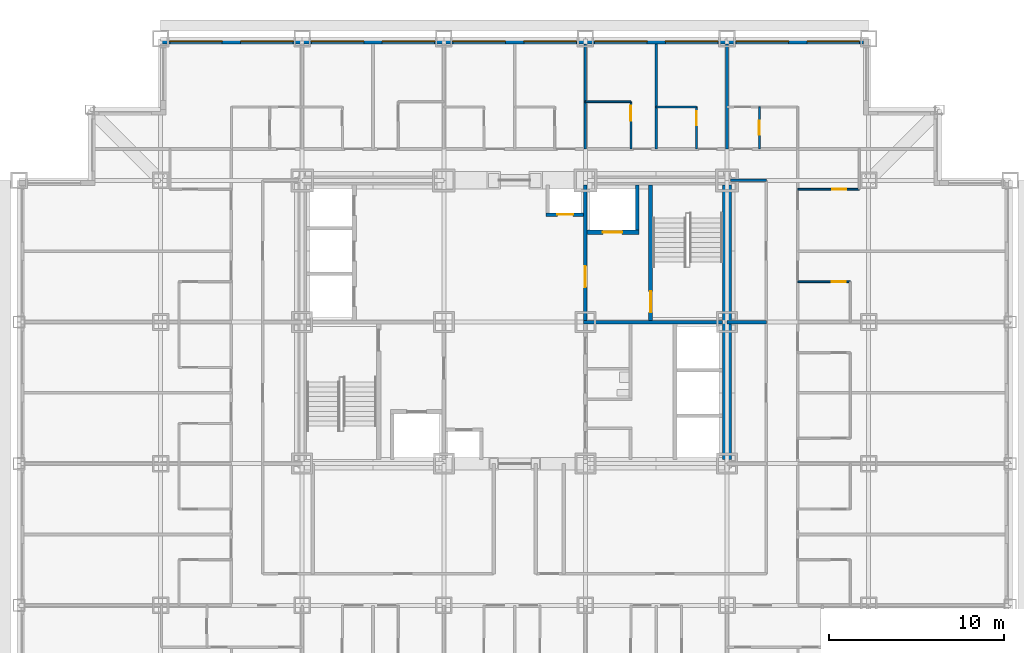
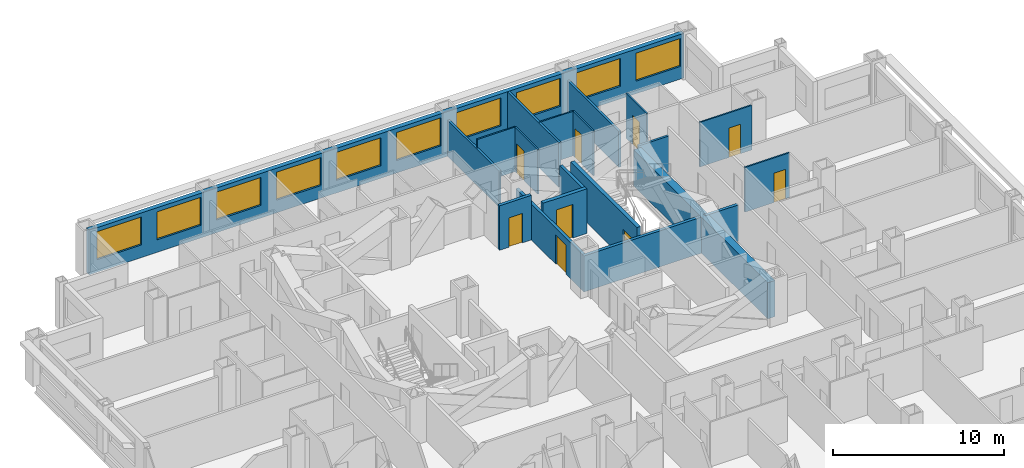
# One storey, part 9 of 12: 20 walls, 10 windows, 9 doors, 19 openings.
"""IFC4 building model written with IfcOpenShell, lengths in metres."""

from ifc_helpers import new_model, si_unit, direction, frame, frame_2d, origin, place, context, subcontext, project, spatial, rectangle, extrude, material, layer, layer_set, type_object, element, fill, save


model = new_model("IFC4")

# Units and contexts
model_context = context("Model", 3, precision=1e-05, world=origin(), true_north=direction((0.0, 1.0)))
body_context = subcontext(model_context, "Body", "Model", "MODEL_VIEW")
ifc_project = project(units=[si_unit("LENGTHUNIT", "METRE"), si_unit("AREAUNIT", "SQUARE_METRE"), si_unit("VOLUMEUNIT", "CUBIC_METRE"), si_unit("PLANEANGLEUNIT", "RADIAN"), si_unit("MASSUNIT", "GRAM", prefix="KILO")], contexts=[model_context])

# Site, building, storey
site_placement = place(None, origin())
site = spatial("IfcSite", under=ifc_project, at=site_placement, CompositionType="ELEMENT")
building_placement = place(site_placement, origin())
building = spatial("IfcBuilding", under=site, at=building_placement, Name="Kopane Lantern Tower", CompositionType="ELEMENT")
storey_placement = place(building_placement, frame((0.0, 0.0, 39.800048828125)))
storey = spatial("IfcBuildingStorey", under=building, at=storey_placement, Name="L08", CompositionType="ELEMENT", Elevation=39.800048828125)

# Wall
ifc_material_1 = material(Name="Moisture-resistant board on steel studs", Category="steel")
ifc_layer_1 = layer(ifc_material_1, 0.10009765625)
ifc_layer_set_1 = layer_set([ifc_layer_1], Name="BATHROOM WALL 100")
wall_type_1 = type_object("IfcWallType", Name="BATHROOM WALL 100", PredefinedType="PARTITIONING", material=ifc_layer_set_1)
wall_1_placement = place(storey_placement, frame((32.39990234375, 45.0, 0.0), z_axis=(0.0, 0.0, 1.0), x_axis=(1.0, 0.0, 0.0)))
element("IfcWall", 1, at=wall_1_placement, inside=storey, type_object=wall_type_1, Name="Bathroom Wall 100 L08", PredefinedType="PARTITIONING", context=body_context, shape_type="SweptSolid", body=[
    extrude(rectangle(XDim=2.60009765625, YDim=0.10009765625, at=frame_2d((1.300048828125, 0.0))), origin(), (0.0, 0.0, 1.0), 3.18994140625),
])

# Wall, opening, door
wall_2_placement = place(storey_placement, frame((35.0, 42.300048828125, 0.0), z_axis=(0.0, 0.0, 1.0), x_axis=(0.0, 1.0, 0.0)))
wall_2 = element("IfcWall", 2, at=wall_2_placement, inside=storey, type_object=wall_type_1, Name="Bathroom Wall 100 L08", PredefinedType="PARTITIONING", context=body_context, shape_type="SweptSolid", body=[
    extrude(rectangle(XDim=2.699951171875, YDim=0.10009765625, at=frame_2d((1.35009765625, 0.0))), origin(), (0.0, 0.0, 1.0), 3.18994140625),
])
opening_1_placement = place(wall_2_placement, frame((1.625, 0.0, 0.0)))
opening_1 = element("IfcOpeningElement", 3, at=opening_1_placement, cuts=wall_2, Name="Opening L08-031", PredefinedType="OPENING", context=body_context, shape_type="SweptSolid", body=[
    extrude(rectangle(XDim=0.85009765625, YDim=2.10009765625, at=frame_2d((0.425048828125, 1.050048828125))), frame((0.0, 0.06005859375, 0.0), z_axis=(0.0, -1.0, 0.0), x_axis=(1.0, 0.0, 0.0)), (0.0, 0.0, 1.0), 0.1201171875),
])
ifc_material_2 = material(Name="Timber door set", Category="wood")
door_type_1 = type_object("IfcDoorType", Name="DOOR D4 850x2100", OperationType="SINGLE_SWING_LEFT", PredefinedType="DOOR", material=ifc_material_2)
door_1_placement = place(opening_1_placement, origin())
door_1 = element("IfcDoor", 4, at=door_1_placement, inside=storey, type_object=door_type_1, Name="Door L08-031", OperationType="SINGLE_SWING_RIGHT", OverallHeight=2.10009765625, OverallWidth=0.85009765625, PredefinedType="DOOR", context=body_context, shape_type="SweptSolid", body=[
    extrude(rectangle(XDim=0.85009765625, YDim=2.10009765625, at=frame_2d((0.425048828125, 1.050048828125))), frame((0.0, 0.02490234375, 0.0), z_axis=(0.0, -1.0, 0.0), x_axis=(1.0, 0.0, 0.0)), (0.0, 0.0, 1.0), 0.050048828125),
])
fill(opening_1, door_1)

# Wall
wall_3_placement = place(storey_placement, frame((36.449951171875, 44.699951171875, 0.0), z_axis=(0.0, 0.0, 1.0), x_axis=(1.0, 0.0, 0.0)))
element("IfcWall", 5, at=wall_3_placement, inside=storey, type_object=wall_type_1, Name="Bathroom Wall 100 L08", PredefinedType="PARTITIONING", context=body_context, shape_type="SweptSolid", body=[
    extrude(rectangle(XDim=2.300048828125, YDim=0.10009765625, at=frame_2d((1.14990234375, 0.0))), origin(), (0.0, 0.0, 1.0), 3.18994140625),
])

# Wall, opening, door
wall_4_placement = place(storey_placement, frame((38.75, 42.300048828125, 0.0), z_axis=(0.0, 0.0, 1.0), x_axis=(0.0, 1.0, 0.0)))
wall_4 = element("IfcWall", 6, at=wall_4_placement, inside=storey, type_object=wall_type_1, Name="Bathroom Wall 100 L08", PredefinedType="PARTITIONING", context=body_context, shape_type="SweptSolid", body=[
    extrude(rectangle(XDim=2.39990234375, YDim=0.10009765625, at=frame_2d((1.199951171875, 0.0))), origin(), (0.0, 0.0, 1.0), 3.18994140625),
])
opening_2_placement = place(wall_4_placement, frame((1.35009765625, 0.0, 0.0)))
opening_2 = element("IfcOpeningElement", 7, at=opening_2_placement, cuts=wall_4, Name="Opening L08-033", PredefinedType="OPENING", context=body_context, shape_type="SweptSolid", body=[
    extrude(rectangle(XDim=0.800048828125, YDim=2.10009765625, at=frame_2d((0.39990234375, 1.050048828125))), frame((0.0, 0.06005859375, 0.0), z_axis=(0.0, -1.0, 0.0), x_axis=(1.0, 0.0, 0.0)), (0.0, 0.0, 1.0), 0.1201171875),
])
ifc_material_3 = material(Name="Timber door set", Category="wood")
door_type_2 = type_object("IfcDoorType", Name="DOOR D2 800x2100", OperationType="SINGLE_SWING_LEFT", PredefinedType="DOOR", material=ifc_material_3)
door_2_placement = place(opening_2_placement, origin())
door_2 = element("IfcDoor", 8, at=door_2_placement, inside=storey, type_object=door_type_2, Name="Door L08-033", OperationType="SINGLE_SWING_RIGHT", OverallHeight=2.10009765625, OverallWidth=0.800048828125, PredefinedType="DOOR", context=body_context, shape_type="SweptSolid", body=[
    extrude(rectangle(XDim=0.800048828125, YDim=2.10009765625, at=frame_2d((0.39990234375, 1.050048828125))), frame((0.0, 0.02490234375, 0.0), z_axis=(0.0, -1.0, 0.0), x_axis=(1.0, 0.0, 0.0)), (0.0, 0.0, 1.0), 0.050048828125),
])
fill(opening_2, door_2)

wall_5_placement = place(storey_placement, frame((44.550048828125, 34.699951171875, 0.0), z_axis=(0.0, 0.0, 1.0), x_axis=(1.0, 0.0, 0.0)))
wall_5 = element("IfcWall", 9, at=wall_5_placement, inside=storey, type_object=wall_type_1, Name="Bathroom Wall 100 L08", PredefinedType="PARTITIONING", context=body_context, shape_type="SweptSolid", body=[
    extrude(rectangle(XDim=3.0, YDim=0.10009765625, at=frame_2d((1.5, 0.0))), origin(), (0.0, 0.0, 1.0), 3.18994140625),
])
opening_3_placement = place(wall_5_placement, frame((1.949951171875, 0.0, 0.0)))
opening_3 = element("IfcOpeningElement", 10, at=opening_3_placement, cuts=wall_5, Name="Opening L08-055", PredefinedType="OPENING", context=body_context, shape_type="SweptSolid", body=[
    extrude(rectangle(XDim=0.800048828125, YDim=2.10009765625, at=frame_2d((0.39990234375, 1.050048828125))), frame((0.0, 0.06005859375, 0.0), z_axis=(0.0, -1.0, 0.0), x_axis=(1.0, 0.0, 0.0)), (0.0, 0.0, 1.0), 0.1201171875),
])
door_3_placement = place(opening_3_placement, origin())
door_3 = element("IfcDoor", 11, at=door_3_placement, inside=storey, type_object=door_type_2, Name="Door L08-055", OperationType="SINGLE_SWING_LEFT", OverallHeight=2.10009765625, OverallWidth=0.800048828125, PredefinedType="DOOR", context=body_context, shape_type="SweptSolid", body=[
    extrude(rectangle(XDim=0.800048828125, YDim=2.10009765625, at=frame_2d((0.39990234375, 1.050048828125))), frame((0.0, 0.02490234375, 0.0), z_axis=(0.0, -1.0, 0.0), x_axis=(1.0, 0.0, 0.0)), (0.0, 0.0, 1.0), 0.050048828125),
])
fill(opening_3, door_3)

wall_6_placement = place(storey_placement, frame((44.550048828125, 40.0, 0.0), z_axis=(0.0, 0.0, 1.0), x_axis=(1.0, 0.0, 0.0)))
wall_6 = element("IfcWall", 12, at=wall_6_placement, inside=storey, type_object=wall_type_1, Name="Bathroom Wall 100 L08", PredefinedType="PARTITIONING", context=body_context, shape_type="SweptSolid", body=[
    extrude(rectangle(XDim=3.514892578125, YDim=0.10009765625, at=frame_2d((1.75732421875, 0.0))), origin(), (0.0, 0.0, 1.0), 3.18994140625),
])
opening_4_placement = place(wall_6_placement, frame((1.965087890625, 0.0, 0.0)))
opening_4 = element("IfcOpeningElement", 13, at=opening_4_placement, cuts=wall_6, Name="Opening L08-057", PredefinedType="OPENING", context=body_context, shape_type="SweptSolid", body=[
    extrude(rectangle(XDim=0.800048828125, YDim=2.10009765625, at=frame_2d((0.39990234375, 1.050048828125))), frame((0.0, 0.06005859375, 0.0), z_axis=(0.0, -1.0, 0.0), x_axis=(1.0, 0.0, 0.0)), (0.0, 0.0, 1.0), 0.1201171875),
])
door_4_placement = place(opening_4_placement, origin())
door_4 = element("IfcDoor", 14, at=door_4_placement, inside=storey, type_object=door_type_2, Name="Door L08-057", OperationType="SINGLE_SWING_RIGHT", OverallHeight=2.10009765625, OverallWidth=0.800048828125, PredefinedType="DOOR", context=body_context, shape_type="SweptSolid", body=[
    extrude(rectangle(XDim=0.800048828125, YDim=2.10009765625, at=frame_2d((0.39990234375, 1.050048828125))), frame((0.0, 0.02490234375, 0.0), z_axis=(0.0, -1.0, 0.0), x_axis=(1.0, 0.0, 0.0)), (0.0, 0.0, 1.0), 0.050048828125),
])
fill(opening_4, door_4)

wall_7_placement = place(storey_placement, frame((42.35009765625, 42.300048828125, 0.0), z_axis=(0.0, 0.0, 1.0), x_axis=(0.0, 1.0, 0.0)))
wall_7 = element("IfcWall", 15, at=wall_7_placement, inside=storey, type_object=wall_type_1, Name="Bathroom Wall 100 L08", PredefinedType="PARTITIONING", context=body_context, shape_type="SweptSolid", body=[
    extrude(rectangle(XDim=2.39990234375, YDim=0.10009765625, at=frame_2d((1.199951171875, 0.0))), origin(), (0.0, 0.0, 1.0), 3.18994140625),
])
opening_5_placement = place(wall_7_placement, frame((0.800048828125, 0.0, 0.0)))
opening_5 = element("IfcOpeningElement", 16, at=opening_5_placement, cuts=wall_7, Name="Opening L08-069", PredefinedType="OPENING", context=body_context, shape_type="SweptSolid", body=[
    extrude(rectangle(XDim=0.800048828125, YDim=2.10009765625, at=frame_2d((0.39990234375, 1.050048828125))), frame((0.0, 0.06005859375, 0.0), z_axis=(0.0, -1.0, 0.0), x_axis=(1.0, 0.0, 0.0)), (0.0, 0.0, 1.0), 0.1201171875),
])
door_5_placement = place(opening_5_placement, origin())
door_5 = element("IfcDoor", 17, at=door_5_placement, inside=storey, type_object=door_type_2, Name="Door L08-069", OperationType="SINGLE_SWING_RIGHT", OverallHeight=2.10009765625, OverallWidth=0.800048828125, PredefinedType="DOOR", context=body_context, shape_type="SweptSolid", body=[
    extrude(rectangle(XDim=0.800048828125, YDim=2.10009765625, at=frame_2d((0.39990234375, 1.050048828125))), frame((0.0, 0.02490234375, 0.0), z_axis=(0.0, -1.0, 0.0), x_axis=(1.0, 0.0, 0.0)), (0.0, 0.0, 1.0), 0.050048828125),
])
fill(opening_5, door_5)

# Wall
ifc_material_4 = material(Name="Gypsum shaft wall EI 120", Category="gypsum")
ifc_layer_2 = layer(ifc_material_4, 0.5)
ifc_layer_set_2 = layer_set([ifc_layer_2], Name="CORE PERIMETER WALL 500 EI 120")
wall_type_2 = type_object("IfcWallType", Name="CORE PERIMETER WALL 500 EI 120", PredefinedType="SOLIDWALL", material=ifc_layer_set_2)
wall_8_placement = place(storey_placement, frame((40.5, 24.550048828125, 0.0), z_axis=(0.0, 0.0, 1.0), x_axis=(0.0, 1.0, 0.0)))
element("IfcWall", 18, at=wall_8_placement, inside=storey, type_object=wall_type_2, Name="Core shaft wall L08 PE", PredefinedType="SOLIDWALL", context=body_context, shape_type="SweptSolid", body=[
    extrude(rectangle(XDim=15.699951171875, YDim=0.5, at=frame_2d((7.85009765625, 0.0))), origin(), (0.0, 0.0, 1.0), 2.57763671875),
])

# Wall, opening, door
ifc_material_5 = material(Name="Gypsum shaft wall EI 120", Category="gypsum")
ifc_layer_3 = layer(ifc_material_5, 0.25)
ifc_layer_set_3 = layer_set([ifc_layer_3], Name="CORE SHAFT WALL 250 EI 120")
wall_type_3 = type_object("IfcWallType", Name="CORE SHAFT WALL 250 EI 120", PredefinedType="SOLIDWALL", material=ifc_layer_set_3)
wall_9_placement = place(storey_placement, frame((36.125, 32.5, 0.0), z_axis=(0.0, 0.0, 1.0), x_axis=(0.0, 1.0, 0.0)))
wall_9 = element("IfcWall", 19, at=wall_9_placement, inside=storey, type_object=wall_type_3, Name="Core shaft wall L08 XST2", PredefinedType="SOLIDWALL", context=body_context, shape_type="SweptSolid", body=[
    extrude(rectangle(XDim=7.75, YDim=0.25, at=frame_2d((3.875, 0.0))), origin(), (0.0, 0.0, 1.0), 3.18994140625),
])
opening_6_placement = place(wall_9_placement, frame((0.449951171875, 0.0, 0.0)))
opening_6 = element("IfcOpeningElement", 20, at=opening_6_placement, cuts=wall_9, Name="Opening 08.SD2", PredefinedType="OPENING", context=body_context, shape_type="SweptSolid", body=[
    extrude(rectangle(XDim=1.199951171875, YDim=2.10009765625, at=frame_2d((0.60009765625, 1.050048828125))), frame((0.0, 0.135009765625, 0.0), z_axis=(0.0, -1.0, 0.0), x_axis=(1.0, 0.0, 0.0)), (0.0, 0.0, 1.0), 0.27001953125),
])
ifc_material_6 = material(Name="Steel door set", Category="steel")
door_type_3 = type_object("IfcDoorType", Name="STAIR DOOR 1200x2100 FD60S", OperationType="SINGLE_SWING_LEFT", PredefinedType="DOOR", material=ifc_material_6)
door_6_placement = place(opening_6_placement, origin())
door_6 = element("IfcDoor", 21, at=door_6_placement, inside=storey, type_object=door_type_3, Name="Stair door ST2 L08", OperationType="SINGLE_SWING_RIGHT", OverallHeight=2.10009765625, OverallWidth=1.199951171875, PredefinedType="DOOR", context=body_context, shape_type="SweptSolid", body=[
    extrude(rectangle(XDim=1.199951171875, YDim=2.10009765625, at=frame_2d((0.60009765625, 1.050048828125))), frame((0.0, 0.02490234375, 0.0), z_axis=(0.0, -1.0, 0.0), x_axis=(1.0, 0.0, 0.0)), (0.0, 0.0, 1.0), 0.050048828125),
])
fill(opening_6, door_6)

wall_10_placement = place(storey_placement, frame((32.5, 37.52490234375, 0.0), z_axis=(0.0, 0.0, 1.0), x_axis=(1.0, 0.0, 0.0)))
wall_10 = element("IfcWall", 22, at=wall_10_placement, inside=storey, type_object=wall_type_3, Name="Core shaft wall L08 YLF2", PredefinedType="SOLIDWALL", context=body_context, shape_type="SweptSolid", body=[
    extrude(rectangle(XDim=2.949951171875, YDim=0.25, at=frame_2d((1.47509765625, 0.0))), origin(), (0.0, 0.0, 1.0), 3.18994140625),
])
opening_7_placement = place(wall_10_placement, frame((0.89990234375, 0.0, 0.0)))
opening_7 = element("IfcOpeningElement", 23, at=opening_7_placement, cuts=wall_10, Name="Opening 08.LD-LF2", PredefinedType="OPENING", context=body_context, shape_type="SweptSolid", body=[
    extrude(rectangle(XDim=1.10009765625, YDim=2.39990234375, at=frame_2d((0.550048828125, 1.199951171875))), frame((0.0, 0.135009765625, 0.0), z_axis=(0.0, -1.0, 0.0), x_axis=(1.0, 0.0, 0.0)), (0.0, 0.0, 1.0), 0.27001953125),
])
ifc_material_7 = material(Name="Steel door set", Category="steel")
door_type_4 = type_object("IfcDoorType", Name="LIFT LANDING DOOR 1100x2400 FD60", OperationType="DOUBLE_DOOR_SLIDING", PredefinedType="DOOR", material=ifc_material_7)
door_7_placement = place(opening_7_placement, origin())
door_7 = element("IfcDoor", 24, at=door_7_placement, inside=storey, type_object=door_type_4, Name="Landing door LF2 L08", OperationType="DOUBLE_DOOR_SLIDING", OverallHeight=2.39990234375, OverallWidth=1.10009765625, PredefinedType="DOOR", context=body_context, shape_type="SweptSolid", body=[
    extrude(rectangle(XDim=1.10009765625, YDim=2.39990234375, at=frame_2d((0.550048828125, 1.199951171875))), frame((0.0, 0.02490234375, 0.0), z_axis=(0.0, -1.0, 0.0), x_axis=(1.0, 0.0, 0.0)), (0.0, 0.0, 1.0), 0.050048828125),
])
fill(opening_7, door_7)

# Walls
ifc_material_8 = material(Name="Gypsum board on steel studs", Category="steel")
ifc_layer_4 = layer(ifc_material_8, 0.14990234375)
ifc_layer_set_4 = layer_set([ifc_layer_4], Name="CORRIDOR WALL 150 EI 60")
wall_type_4 = type_object("IfcWallType", Name="CORRIDOR WALL 150 EI 60", PredefinedType="PARTITIONING", material=ifc_layer_set_4)
wall_11_placement = place(storey_placement, frame((42.75, 40.5, 0.0), z_axis=(0.0, 0.0, 1.0), x_axis=(-1.0, 0.0, 0.0)))
element("IfcWall", 25, at=wall_11_placement, inside=storey, type_object=wall_type_4, Name="Corridor Wall 150 Ei 60 L08", PredefinedType="PARTITIONING", context=body_context, shape_type="SweptSolid", body=[
    extrude(rectangle(XDim=2.050048828125, YDim=0.14990234375, at=frame_2d((1.02490234375, 0.0))), origin(), (0.0, 0.0, 1.0), 2.57763671875),
])
ifc_material_9 = material(Name="Gypsum board on steel studs", Category="steel")
ifc_layer_5 = layer(ifc_material_9, 0.14990234375)
ifc_layer_set_5 = layer_set([ifc_layer_5], Name="DEMISING WALL 150 EI 60")
wall_type_5 = type_object("IfcWallType", Name="DEMISING WALL 150 EI 60", PredefinedType="PARTITIONING", material=ifc_layer_set_5)
wall_12_placement = place(storey_placement, frame((32.39990234375, 42.300048828125, 0.0), z_axis=(0.0, 0.0, 1.0), x_axis=(0.0, 1.0, 0.0)))
element("IfcWall", 26, at=wall_12_placement, inside=storey, type_object=wall_type_5, Name="Demising Wall 150 Ei 60 L08", PredefinedType="PARTITIONING", context=body_context, shape_type="SweptSolid", body=[
    extrude(rectangle(XDim=6.0, YDim=0.14990234375, at=frame_2d((3.0, 0.0))), origin(), (0.0, 0.0, 1.0), 2.57763671875),
])
wall_13_placement = place(storey_placement, frame((36.449951171875, 42.300048828125, 0.0), z_axis=(0.0, 0.0, 1.0), x_axis=(0.0, 1.0, 0.0)))
element("IfcWall", 27, at=wall_13_placement, inside=storey, type_object=wall_type_5, Name="Demising Wall 150 Ei 60 L08", PredefinedType="PARTITIONING", context=body_context, shape_type="SweptSolid", body=[
    extrude(rectangle(XDim=6.0, YDim=0.14990234375, at=frame_2d((3.0, 0.0))), origin(), (0.0, 0.0, 1.0), 3.18994140625),
])
wall_14_placement = place(storey_placement, frame((40.5, 42.300048828125, 0.0), z_axis=(0.0, 0.0, 1.0), x_axis=(0.0, 1.0, 0.0)))
element("IfcWall", 28, at=wall_14_placement, inside=storey, type_object=wall_type_5, Name="Demising Wall 150 Ei 60 L08", PredefinedType="PARTITIONING", context=body_context, shape_type="SweptSolid", body=[
    extrude(rectangle(XDim=6.0, YDim=0.14990234375, at=frame_2d((3.0, 0.0))), origin(), (0.0, 0.0, 1.0), 2.57763671875),
])

# Wall, openings, windows
ifc_material_10 = material(Name="Terracotta rainscreen on light steel framing", Category="masonry")
ifc_layer_6 = layer(ifc_material_10, 0.300048828125)
ifc_layer_set_6 = layer_set([ifc_layer_6], Name="EXTERNAL WALL EW1 300 TERRACOTTA")
wall_type_6 = type_object("IfcWallType", Name="EXTERNAL WALL EW1 300 TERRACOTTA", PredefinedType="SOLIDWALL", material=ifc_layer_set_6)
wall_15_placement = place(storey_placement, frame((48.300048828125, 48.449951171875, 0.0), z_axis=(0.0, 0.0, 1.0), x_axis=(-1.0, 0.0, 0.0)))
wall_15 = element("IfcWall", 29, at=wall_15_placement, inside=storey, type_object=wall_type_6, Name="External wall N L08", PredefinedType="SOLIDWALL", context=body_context, shape_type="SweptSolid", body=[
    extrude(rectangle(XDim=40.199951171875, YDim=0.300048828125, at=frame_2d((20.10009765625, 0.0))), origin(), (0.0, 0.0, 1.0), 3.18994140625),
])
opening_8_placement = place(wall_15_placement, frame((0.22509765625, 0.0, 0.89990234375)))
opening_8 = element("IfcOpeningElement", 30, at=opening_8_placement, cuts=wall_15, Name="Opening WR300200", PredefinedType="OPENING", context=body_context, shape_type="SweptSolid", body=[
    extrude(rectangle(XDim=3.0, YDim=2.0, at=frame_2d((1.5, 1.0))), frame((0.0, 0.159912109375, 0.0), z_axis=(0.0, -1.0, 0.0), x_axis=(1.0, 0.0, 0.0)), (0.0, 0.0, 1.0), 0.320068359375),
])
opening_9_placement = place(wall_15_placement, frame((4.27490234375, 0.0, 0.89990234375)))
opening_9 = element("IfcOpeningElement", 31, at=opening_9_placement, cuts=wall_15, Name="Opening WR300200", PredefinedType="OPENING", context=body_context, shape_type="SweptSolid", body=[
    extrude(rectangle(XDim=3.0, YDim=2.0, at=frame_2d((1.5, 1.0))), frame((0.0, 0.159912109375, 0.0), z_axis=(0.0, -1.0, 0.0), x_axis=(1.0, 0.0, 0.0)), (0.0, 0.0, 1.0), 0.320068359375),
])
opening_10_placement = place(wall_15_placement, frame((8.324951171875, 0.0, 0.89990234375)))
opening_10 = element("IfcOpeningElement", 32, at=opening_10_placement, cuts=wall_15, Name="Opening WR300200", PredefinedType="OPENING", context=body_context, shape_type="SweptSolid", body=[
    extrude(rectangle(XDim=3.0, YDim=2.0, at=frame_2d((1.5, 1.0))), frame((0.0, 0.159912109375, 0.0), z_axis=(0.0, -1.0, 0.0), x_axis=(1.0, 0.0, 0.0)), (0.0, 0.0, 1.0), 0.320068359375),
])
opening_11_placement = place(wall_15_placement, frame((12.375, 0.0, 0.89990234375)))
opening_11 = element("IfcOpeningElement", 33, at=opening_11_placement, cuts=wall_15, Name="Opening WR300200", PredefinedType="OPENING", context=body_context, shape_type="SweptSolid", body=[
    extrude(rectangle(XDim=3.0, YDim=2.0, at=frame_2d((1.5, 1.0))), frame((0.0, 0.159912109375, 0.0), z_axis=(0.0, -1.0, 0.0), x_axis=(1.0, 0.0, 0.0)), (0.0, 0.0, 1.0), 0.320068359375),
])
opening_12_placement = place(wall_15_placement, frame((16.425048828125, 0.0, 0.89990234375)))
opening_12 = element("IfcOpeningElement", 34, at=opening_12_placement, cuts=wall_15, Name="Opening WR300200", PredefinedType="OPENING", context=body_context, shape_type="SweptSolid", body=[
    extrude(rectangle(XDim=3.0, YDim=2.0, at=frame_2d((1.5, 1.0))), frame((0.0, 0.159912109375, 0.0), z_axis=(0.0, -1.0, 0.0), x_axis=(1.0, 0.0, 0.0)), (0.0, 0.0, 1.0), 0.320068359375),
])
opening_13_placement = place(wall_15_placement, frame((20.47509765625, 0.0, 0.89990234375)))
opening_13 = element("IfcOpeningElement", 35, at=opening_13_placement, cuts=wall_15, Name="Opening WR300200", PredefinedType="OPENING", context=body_context, shape_type="SweptSolid", body=[
    extrude(rectangle(XDim=3.0, YDim=2.0, at=frame_2d((1.5, 1.0))), frame((0.0, 0.159912109375, 0.0), z_axis=(0.0, -1.0, 0.0), x_axis=(1.0, 0.0, 0.0)), (0.0, 0.0, 1.0), 0.320068359375),
])
opening_14_placement = place(wall_15_placement, frame((24.52490234375, 0.0, 0.89990234375)))
opening_14 = element("IfcOpeningElement", 36, at=opening_14_placement, cuts=wall_15, Name="Opening WR300200", PredefinedType="OPENING", context=body_context, shape_type="SweptSolid", body=[
    extrude(rectangle(XDim=3.0, YDim=2.0, at=frame_2d((1.5, 1.0))), frame((0.0, 0.159912109375, 0.0), z_axis=(0.0, -1.0, 0.0), x_axis=(1.0, 0.0, 0.0)), (0.0, 0.0, 1.0), 0.320068359375),
])
opening_15_placement = place(wall_15_placement, frame((28.574951171875, 0.0, 0.89990234375)))
opening_15 = element("IfcOpeningElement", 37, at=opening_15_placement, cuts=wall_15, Name="Opening WR300200", PredefinedType="OPENING", context=body_context, shape_type="SweptSolid", body=[
    extrude(rectangle(XDim=3.0, YDim=2.0, at=frame_2d((1.5, 1.0))), frame((0.0, 0.159912109375, 0.0), z_axis=(0.0, -1.0, 0.0), x_axis=(1.0, 0.0, 0.0)), (0.0, 0.0, 1.0), 0.320068359375),
])
opening_16_placement = place(wall_15_placement, frame((32.625, 0.0, 0.89990234375)))
opening_16 = element("IfcOpeningElement", 38, at=opening_16_placement, cuts=wall_15, Name="Opening WR300200", PredefinedType="OPENING", context=body_context, shape_type="SweptSolid", body=[
    extrude(rectangle(XDim=3.0, YDim=2.0, at=frame_2d((1.5, 1.0))), frame((0.0, 0.159912109375, 0.0), z_axis=(0.0, -1.0, 0.0), x_axis=(1.0, 0.0, 0.0)), (0.0, 0.0, 1.0), 0.320068359375),
])
opening_17_placement = place(wall_15_placement, frame((36.675048828125, 0.0, 0.89990234375)))
opening_17 = element("IfcOpeningElement", 39, at=opening_17_placement, cuts=wall_15, Name="Opening WR300200", PredefinedType="OPENING", context=body_context, shape_type="SweptSolid", body=[
    extrude(rectangle(XDim=3.0, YDim=2.0, at=frame_2d((1.5, 1.0))), frame((0.0, 0.159912109375, 0.0), z_axis=(0.0, -1.0, 0.0), x_axis=(1.0, 0.0, 0.0)), (0.0, 0.0, 1.0), 0.320068359375),
])
ifc_material_11 = material(Name="Aluminium and clear glass", Category="aluminium")
window_type = type_object("IfcWindowType", Name="RIBBON WINDOW WR300200 3000x2000", PartitioningType="SINGLE_PANEL", PredefinedType="WINDOW", material=ifc_material_11)
window_1_placement = place(opening_8_placement, origin())
window_1 = element("IfcWindow", 40, at=window_1_placement, inside=storey, type_object=window_type, Name="Window N L08", OverallHeight=2.0, OverallWidth=3.0, PartitioningType="SINGLE_PANEL", PredefinedType="WINDOW", context=body_context, shape_type="SweptSolid", body=[
    extrude(rectangle(XDim=3.0, YDim=2.0, at=frame_2d((1.5, 1.0))), frame((0.0, 0.030029296875, 0.0), z_axis=(0.0, -1.0, 0.0), x_axis=(1.0, 0.0, 0.0)), (0.0, 0.0, 1.0), 0.06005859375),
])
fill(opening_8, window_1)
window_2_placement = place(opening_9_placement, origin())
window_2 = element("IfcWindow", 41, at=window_2_placement, inside=storey, type_object=window_type, Name="Window N L08", OverallHeight=2.0, OverallWidth=3.0, PartitioningType="SINGLE_PANEL", PredefinedType="WINDOW", context=body_context, shape_type="SweptSolid", body=[
    extrude(rectangle(XDim=3.0, YDim=2.0, at=frame_2d((1.5, 1.0))), frame((0.0, 0.030029296875, 0.0), z_axis=(0.0, -1.0, 0.0), x_axis=(1.0, 0.0, 0.0)), (0.0, 0.0, 1.0), 0.06005859375),
])
fill(opening_9, window_2)
window_3_placement = place(opening_10_placement, origin())
window_3 = element("IfcWindow", 42, at=window_3_placement, inside=storey, type_object=window_type, Name="Window N L08", OverallHeight=2.0, OverallWidth=3.0, PartitioningType="SINGLE_PANEL", PredefinedType="WINDOW", context=body_context, shape_type="SweptSolid", body=[
    extrude(rectangle(XDim=3.0, YDim=2.0, at=frame_2d((1.5, 1.0))), frame((0.0, 0.030029296875, 0.0), z_axis=(0.0, -1.0, 0.0), x_axis=(1.0, 0.0, 0.0)), (0.0, 0.0, 1.0), 0.06005859375),
])
fill(opening_10, window_3)
window_4_placement = place(opening_11_placement, origin())
window_4 = element("IfcWindow", 43, at=window_4_placement, inside=storey, type_object=window_type, Name="Window N L08", OverallHeight=2.0, OverallWidth=3.0, PartitioningType="SINGLE_PANEL", PredefinedType="WINDOW", context=body_context, shape_type="SweptSolid", body=[
    extrude(rectangle(XDim=3.0, YDim=2.0, at=frame_2d((1.5, 1.0))), frame((0.0, 0.030029296875, 0.0), z_axis=(0.0, -1.0, 0.0), x_axis=(1.0, 0.0, 0.0)), (0.0, 0.0, 1.0), 0.06005859375),
])
fill(opening_11, window_4)
window_5_placement = place(opening_12_placement, origin())
window_5 = element("IfcWindow", 44, at=window_5_placement, inside=storey, type_object=window_type, Name="Window N L08", OverallHeight=2.0, OverallWidth=3.0, PartitioningType="SINGLE_PANEL", PredefinedType="WINDOW", context=body_context, shape_type="SweptSolid", body=[
    extrude(rectangle(XDim=3.0, YDim=2.0, at=frame_2d((1.5, 1.0))), frame((0.0, 0.030029296875, 0.0), z_axis=(0.0, -1.0, 0.0), x_axis=(1.0, 0.0, 0.0)), (0.0, 0.0, 1.0), 0.06005859375),
])
fill(opening_12, window_5)
window_6_placement = place(opening_13_placement, origin())
window_6 = element("IfcWindow", 45, at=window_6_placement, inside=storey, type_object=window_type, Name="Window N L08", OverallHeight=2.0, OverallWidth=3.0, PartitioningType="SINGLE_PANEL", PredefinedType="WINDOW", context=body_context, shape_type="SweptSolid", body=[
    extrude(rectangle(XDim=3.0, YDim=2.0, at=frame_2d((1.5, 1.0))), frame((0.0, 0.030029296875, 0.0), z_axis=(0.0, -1.0, 0.0), x_axis=(1.0, 0.0, 0.0)), (0.0, 0.0, 1.0), 0.06005859375),
])
fill(opening_13, window_6)
window_7_placement = place(opening_14_placement, origin())
window_7 = element("IfcWindow", 46, at=window_7_placement, inside=storey, type_object=window_type, Name="Window N L08", OverallHeight=2.0, OverallWidth=3.0, PartitioningType="SINGLE_PANEL", PredefinedType="WINDOW", context=body_context, shape_type="SweptSolid", body=[
    extrude(rectangle(XDim=3.0, YDim=2.0, at=frame_2d((1.5, 1.0))), frame((0.0, 0.030029296875, 0.0), z_axis=(0.0, -1.0, 0.0), x_axis=(1.0, 0.0, 0.0)), (0.0, 0.0, 1.0), 0.06005859375),
])
fill(opening_14, window_7)
window_8_placement = place(opening_15_placement, origin())
window_8 = element("IfcWindow", 47, at=window_8_placement, inside=storey, type_object=window_type, Name="Window N L08", OverallHeight=2.0, OverallWidth=3.0, PartitioningType="SINGLE_PANEL", PredefinedType="WINDOW", context=body_context, shape_type="SweptSolid", body=[
    extrude(rectangle(XDim=3.0, YDim=2.0, at=frame_2d((1.5, 1.0))), frame((0.0, 0.030029296875, 0.0), z_axis=(0.0, -1.0, 0.0), x_axis=(1.0, 0.0, 0.0)), (0.0, 0.0, 1.0), 0.06005859375),
])
fill(opening_15, window_8)
window_9_placement = place(opening_16_placement, origin())
window_9 = element("IfcWindow", 48, at=window_9_placement, inside=storey, type_object=window_type, Name="Window N L08", OverallHeight=2.0, OverallWidth=3.0, PartitioningType="SINGLE_PANEL", PredefinedType="WINDOW", context=body_context, shape_type="SweptSolid", body=[
    extrude(rectangle(XDim=3.0, YDim=2.0, at=frame_2d((1.5, 1.0))), frame((0.0, 0.030029296875, 0.0), z_axis=(0.0, -1.0, 0.0), x_axis=(1.0, 0.0, 0.0)), (0.0, 0.0, 1.0), 0.06005859375),
])
fill(opening_16, window_9)
window_10_placement = place(opening_17_placement, origin())
window_10 = element("IfcWindow", 49, at=window_10_placement, inside=storey, type_object=window_type, Name="Window N L08", OverallHeight=2.0, OverallWidth=3.0, PartitioningType="SINGLE_PANEL", PredefinedType="WINDOW", context=body_context, shape_type="SweptSolid", body=[
    extrude(rectangle(XDim=3.0, YDim=2.0, at=frame_2d((1.5, 1.0))), frame((0.0, 0.030029296875, 0.0), z_axis=(0.0, -1.0, 0.0), x_axis=(1.0, 0.0, 0.0)), (0.0, 0.0, 1.0), 0.06005859375),
])
fill(opening_17, window_10)

# Walls
ifc_material_12 = material(Name="Concrete masonry", Category="masonry")
ifc_layer_7 = layer(ifc_material_12, 0.199951171875)
ifc_layer_set_7 = layer_set([ifc_layer_7], Name="PLANT ROOM WALL 200 EI 120")
wall_type_7 = type_object("IfcWallType", Name="PLANT ROOM WALL 200 EI 120", PredefinedType="SOLIDWALL", material=ifc_layer_set_7)
wall_16_placement = place(storey_placement, frame((40.5, 32.39990234375, 0.0), z_axis=(0.0, 0.0, 1.0), x_axis=(1.0, 0.0, 0.0)))
element("IfcWall", 50, at=wall_16_placement, inside=storey, type_object=wall_type_7, Name="Plant Room Wall 200 Ei 120 L08", PredefinedType="SOLIDWALL", context=body_context, shape_type="SweptSolid", body=[
    extrude(rectangle(XDim=2.25, YDim=0.199951171875, at=frame_2d((1.125, 0.0))), origin(), (0.0, 0.0, 1.0), 2.57763671875),
])
ifc_material_13 = material(Name="Gypsum shaft wall EI 120", Category="gypsum")
ifc_layer_8 = layer(ifc_material_13, 0.199951171875)
ifc_layer_set_8 = layer_set([ifc_layer_8], Name="SHAFT WALL 200 EI 120")
wall_type_8 = type_object("IfcWallType", Name="SHAFT WALL 200 EI 120", PredefinedType="SOLIDWALL", material=ifc_layer_set_8)
wall_17_placement = place(storey_placement, frame((32.300048828125, 32.39990234375, 0.0), z_axis=(0.0, 0.0, 1.0), x_axis=(1.0, 0.0, 0.0)))
element("IfcWall", 51, at=wall_17_placement, inside=storey, type_object=wall_type_8, Name="Core shaft wall L08 Y324E", PredefinedType="SOLIDWALL", context=body_context, shape_type="SweptSolid", body=[
    extrude(rectangle(XDim=7.949951171875, YDim=0.199951171875, at=frame_2d((3.97509765625, 0.0))), origin(), (0.0, 0.0, 1.0), 2.57763671875),
])

# Wall, opening, door
wall_18_placement = place(storey_placement, frame((32.39990234375, 32.5, 0.0), z_axis=(0.0, 0.0, 1.0), x_axis=(0.0, 1.0, 0.0)))
wall_18 = element("IfcWall", 52, at=wall_18_placement, inside=storey, type_object=wall_type_8, Name="Core shaft wall L08 X324", PredefinedType="SOLIDWALL", context=body_context, shape_type="SweptSolid", body=[
    extrude(rectangle(XDim=7.75, YDim=0.199951171875, at=frame_2d((3.875, 0.0))), origin(), (0.0, 0.0, 1.0), 2.57763671875),
])
opening_18_placement = place(wall_18_placement, frame((1.89990234375, 0.0, 0.0)))
opening_18 = element("IfcOpeningElement", 53, at=opening_18_placement, cuts=wall_18, Name="Opening 08.FL2", PredefinedType="OPENING", context=body_context, shape_type="SweptSolid", body=[
    extrude(rectangle(XDim=1.199951171875, YDim=2.10009765625, at=frame_2d((0.60009765625, 1.050048828125))), frame((0.0, 0.10986328125, 0.0), z_axis=(0.0, -1.0, 0.0), x_axis=(1.0, 0.0, 0.0)), (0.0, 0.0, 1.0), 0.219970703125),
])
ifc_material_14 = material(Name="Steel door set", Category="steel")
door_type_5 = type_object("IfcDoorType", Name="FIREFIGHTING LOBBY DOOR 1200x2100 FD60S", OperationType="SINGLE_SWING_RIGHT", PredefinedType="DOOR", material=ifc_material_14)
door_8_placement = place(opening_18_placement, origin())
door_8 = element("IfcDoor", 54, at=door_8_placement, inside=storey, type_object=door_type_5, Name="Firefighting lobby door FL2 L08", OperationType="SINGLE_SWING_LEFT", OverallHeight=2.10009765625, OverallWidth=1.199951171875, PredefinedType="DOOR", context=body_context, shape_type="SweptSolid", body=[
    extrude(rectangle(XDim=1.199951171875, YDim=2.10009765625, at=frame_2d((0.60009765625, 1.050048828125))), frame((0.0, 0.02490234375, 0.0), z_axis=(0.0, -1.0, 0.0), x_axis=(1.0, 0.0, 0.0)), (0.0, 0.0, 1.0), 0.050048828125),
])
fill(opening_18, door_8)

# Wall
wall_19_placement = place(storey_placement, frame((35.35009765625, 37.64990234375, 0.0), z_axis=(0.0, 0.0, 1.0), x_axis=(0.0, 1.0, 0.0)))
element("IfcWall", 55, at=wall_19_placement, inside=storey, type_object=wall_type_8, Name="Core shaft wall L08 XLF2", PredefinedType="SOLIDWALL", context=body_context, shape_type="SweptSolid", body=[
    extrude(rectangle(XDim=2.60009765625, YDim=0.199951171875, at=frame_2d((1.300048828125, 0.0))), origin(), (0.0, 0.0, 1.0), 3.18994140625),
])

# Wall, opening, door
wall_20_placement = place(storey_placement, frame((30.14990234375, 38.550048828125, 0.0), z_axis=(0.0, 0.0, 1.0), x_axis=(1.0, 0.0, 0.0)))
wall_20 = element("IfcWall", 56, at=wall_20_placement, inside=storey, type_object=wall_type_8, Name="Core shaft wall L08 YRS2", PredefinedType="SOLIDWALL", context=body_context, shape_type="SweptSolid", body=[
    extrude(rectangle(XDim=2.150146484375, YDim=0.199951171875, at=frame_2d((1.0751953125, 0.0))), origin(), (0.0, 0.0, 1.0), 3.18994140625),
])
opening_19_placement = place(wall_20_placement, frame((0.64990234375, 0.0, 0.0)))
opening_19 = element("IfcOpeningElement", 57, at=opening_19_placement, cuts=wall_20, Name="Opening 08.RS2", PredefinedType="OPENING", context=body_context, shape_type="SweptSolid", body=[
    extrude(rectangle(XDim=0.89990234375, YDim=2.10009765625, at=frame_2d((0.449951171875, 1.050048828125))), frame((0.0, 0.10986328125, 0.0), z_axis=(0.0, -1.0, 0.0), x_axis=(1.0, 0.0, 0.0)), (0.0, 0.0, 1.0), 0.219970703125),
])
ifc_material_15 = material(Name="Steel door set", Category="steel")
door_type_6 = type_object("IfcDoorType", Name="RISER ACCESS DOOR 900x2100 FD60", OperationType="SINGLE_SWING_LEFT", PredefinedType="DOOR", material=ifc_material_15)
door_9_placement = place(opening_19_placement, origin())
door_9 = element("IfcDoor", 58, at=door_9_placement, inside=storey, type_object=door_type_6, Name="Riser access door RS2 L08", OperationType="SINGLE_SWING_LEFT", OverallHeight=2.10009765625, OverallWidth=0.89990234375, PredefinedType="DOOR", context=body_context, shape_type="SweptSolid", body=[
    extrude(rectangle(XDim=0.89990234375, YDim=2.10009765625, at=frame_2d((0.449951171875, 1.050048828125))), frame((0.0, 0.02490234375, 0.0), z_axis=(0.0, -1.0, 0.0), x_axis=(1.0, 0.0, 0.0)), (0.0, 0.0, 1.0), 0.050048828125),
])
fill(opening_19, door_9)

save(model, "model.ifc")
